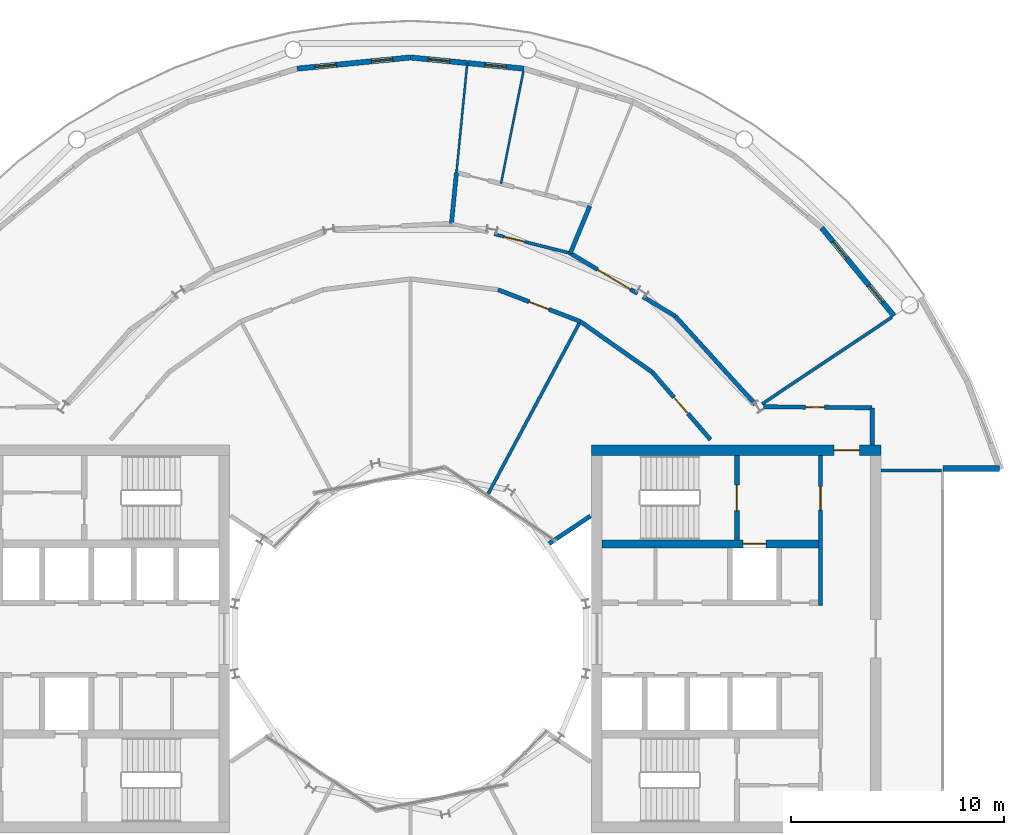
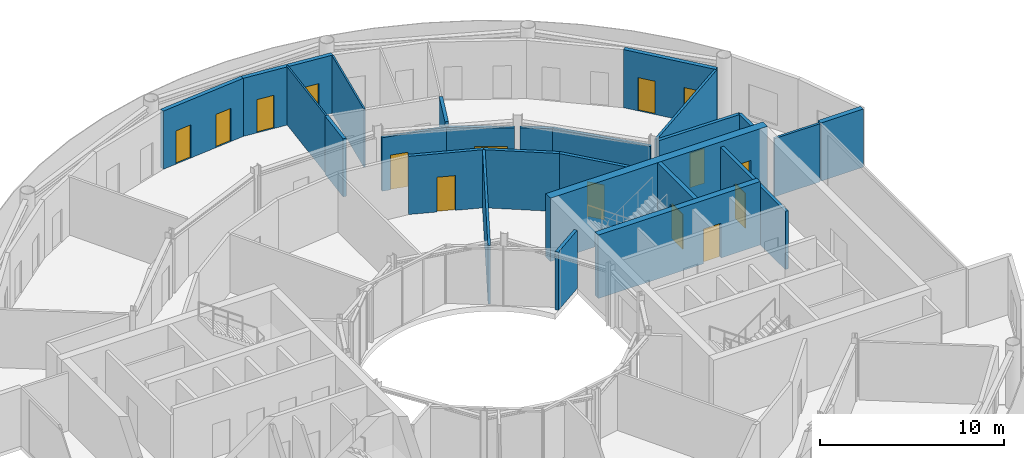
# One storey, part 17 of 21: 25 walls, 15 doors, 15 openings.
"""IFC4 building model written with IfcOpenShell, lengths in metres."""

from ifc_helpers import new_model, si_unit, direction, frame, frame_2d, origin, place, context, subcontext, project, spatial, rectangle, extrude, material, layer, layer_set, type_object, element, fill, save


model = new_model("IFC4")

# Units and contexts
model_context = context("Model", 3, precision=1e-05, world=origin(), true_north=direction((0.0, 1.0)))
body_context = subcontext(model_context, "Body", "Model", "MODEL_VIEW")
ifc_project = project(units=[si_unit("LENGTHUNIT", "METRE"), si_unit("AREAUNIT", "SQUARE_METRE"), si_unit("VOLUMEUNIT", "CUBIC_METRE"), si_unit("PLANEANGLEUNIT", "RADIAN"), si_unit("MASSUNIT", "GRAM", prefix="KILO")], contexts=[model_context])

# Site, building, storey
site_placement = place(None, origin())
site = spatial("IfcSite", under=ifc_project, at=site_placement, CompositionType="ELEMENT")
building_placement = place(site_placement, origin())
building = spatial("IfcBuilding", under=site, at=building_placement, Name="Maasbend Ring Residences", CompositionType="ELEMENT")
storey_placement = place(building_placement, frame((0.0, 0.0, 157.39990234375)))
storey = spatial("IfcBuildingStorey", under=building, at=storey_placement, Name="L45", CompositionType="ELEMENT", Elevation=157.39990234375)

# Wall, opening, door
ifc_material_1 = material(Name="Concrete C60/75", Category="concrete")
ifc_layer_1 = layer(ifc_material_1, 0.25)
ifc_layer_set_1 = layer_set([ifc_layer_1], Name="Concrete C60/75")
wall_type_1 = type_object("IfcWallType", Name="CORE WALL 250 C60/75", PredefinedType="SHEAR", material=ifc_layer_set_1)
wall_1_placement = place(storey_placement, frame((15.324951171875, 4.64990234375, 0.0), z_axis=(0.0, 0.0, 1.0), x_axis=(0.0, 1.0, 0.0)))
wall_1 = element("IfcWall", 1, at=wall_1_placement, inside=storey, type_object=wall_type_1, Name="L45 core E wall STEN", PredefinedType="SHEAR", context=body_context, shape_type="SweptSolid", body=[
    extrude(rectangle(XDim=3.9501953125, YDim=0.25, at=frame_2d((1.97509765625, 0.0))), origin(), (0.0, 0.0, 1.0), 4.2001953125),
])
opening_1_placement = place(wall_1_placement, frame((1.375, 0.0, 0.0)))
opening_1 = element("IfcOpeningElement", 2, at=opening_1_placement, cuts=wall_1, Name="Opening D-E4511", PredefinedType="OPENING", context=body_context, shape_type="SweptSolid", body=[
    extrude(rectangle(XDim=1.199951171875, YDim=2.300048828125, at=frame_2d((0.60009765625, 1.14990234375))), frame((0.0, 0.135009765625, 0.0), z_axis=(0.0, -1.0, 0.0), x_axis=(1.0, 0.0, 0.0)), (0.0, 0.0, 1.0), 0.27001953125),
])
ifc_material_2 = material(Name="Steel, powder coated", Category="steel")
door_type_1 = type_object("IfcDoorType", Name="STAIR DOOR 1200 X 2300 FD60", OperationType="NOTDEFINED", PredefinedType="DOOR", material=ifc_material_2)
door_1_placement = place(opening_1_placement, origin())
door_1 = element("IfcDoor", 3, at=door_1_placement, inside=storey, type_object=door_type_1, Name="Stair door ST-E L45", OperationType="SINGLE_SWING_LEFT", OverallHeight=2.300048828125, OverallWidth=1.199951171875, PredefinedType="DOOR", context=body_context, shape_type="SweptSolid", body=[
    extrude(rectangle(XDim=1.199951171875, YDim=2.300048828125, at=frame_2d((0.60009765625, 1.14990234375))), frame((0.0, 0.02490234375, 0.0), z_axis=(0.0, -1.0, 0.0), x_axis=(1.0, 0.0, 0.0)), (0.0, 0.0, 1.0), 0.050048828125),
])
fill(opening_1, door_1)

ifc_material_3 = material(Name="Concrete C60/75", Category="concrete")
ifc_layer_2 = layer(ifc_material_3, 0.375)
ifc_layer_set_2 = layer_set([ifc_layer_2], Name="Concrete C60/75")
wall_type_2 = type_object("IfcWallType", Name="CORE WALL 375 C60/75", PredefinedType="SHEAR", material=ifc_layer_set_2)
wall_2_placement = place(storey_placement, frame((9.0, 4.46240234375, 0.0), z_axis=(0.0, 0.0, 1.0), x_axis=(1.0, 0.0, 0.0)))
wall_2 = element("IfcWall", 4, at=wall_2_placement, inside=storey, type_object=wall_type_2, Name="L45 core E wall BN", PredefinedType="SHEAR", context=body_context, shape_type="SweptSolid", body=[
    extrude(rectangle(XDim=10.14990234375, YDim=0.375, at=frame_2d((5.074951171875, 0.0))), origin(), (0.0, 0.0, 1.0), 4.2001953125),
])
opening_2_placement = place(wall_2_placement, frame((6.60009765625, 0.0, 0.0)))
opening_2 = element("IfcOpeningElement", 5, at=opening_2_placement, cuts=wall_2, Name="Opening LD-E4501", PredefinedType="OPENING", context=body_context, shape_type="SweptSolid", body=[
    extrude(rectangle(XDim=1.10009765625, YDim=2.300048828125, at=frame_2d((0.550048828125, 1.14990234375))), frame((0.0, 0.197509765625, 0.0), z_axis=(0.0, -1.0, 0.0), x_axis=(1.0, 0.0, 0.0)), (0.0, 0.0, 1.0), 0.39501953125),
])
ifc_material_4 = material(Name="Stainless steel 316", Category="steel")
door_type_2 = type_object("IfcDoorType", Name="LANDING DOOR 1100 X 2300 FD60", OperationType="DOUBLE_DOOR_SLIDING", PredefinedType="DOOR", material=ifc_material_4)
door_2_placement = place(opening_2_placement, origin())
door_2 = element("IfcDoor", 6, at=door_2_placement, inside=storey, type_object=door_type_2, Name="Landing door FF-E L45", OperationType="DOUBLE_DOOR_SLIDING", OverallHeight=2.300048828125, OverallWidth=1.10009765625, PredefinedType="DOOR", context=body_context, shape_type="SweptSolid", body=[
    extrude(rectangle(XDim=1.10009765625, YDim=2.300048828125, at=frame_2d((0.550048828125, 1.14990234375))), frame((0.0, 0.02490234375, 0.0), z_axis=(0.0, -1.0, 0.0), x_axis=(1.0, 0.0, 0.0)), (0.0, 0.0, 1.0), 0.050048828125),
])
fill(opening_2, door_2)

ifc_material_5 = material(Name="Concrete C60/75", Category="concrete")
ifc_layer_3 = layer(ifc_material_5, 0.5)
ifc_layer_set_3 = layer_set([ifc_layer_3], Name="Concrete C60/75")
wall_type_3 = type_object("IfcWallType", Name="CORE WALL 500 C60/75", PredefinedType="SHEAR", material=ifc_layer_set_3)
wall_3_placement = place(storey_placement, frame((22.10009765625, 8.85009765625, 0.0), z_axis=(0.0, 0.0, 1.0), x_axis=(-1.0, 0.0, 0.0)))
wall_3 = element("IfcWall", 7, at=wall_3_placement, inside=storey, type_object=wall_type_3, Name="L45 core E wall PN", PredefinedType="SHEAR", context=body_context, shape_type="SweptSolid", body=[
    extrude(rectangle(XDim=13.60009765625, YDim=0.5, at=frame_2d((6.800048828125, 0.0))), origin(), (0.0, 0.0, 1.0), 4.2001953125),
])
opening_3_placement = place(wall_3_placement, frame((1.02490234375, 0.0, 0.0)))
opening_3 = element("IfcOpeningElement", 8, at=opening_3_placement, cuts=wall_3, Name="Opening D-E4515", PredefinedType="OPENING", context=body_context, shape_type="SweptSolid", body=[
    extrude(rectangle(XDim=1.199951171875, YDim=2.300048828125, at=frame_2d((0.60009765625, 1.14990234375))), frame((0.0, 0.260009765625, 0.0), z_axis=(0.0, -1.0, 0.0), x_axis=(1.0, 0.0, 0.0)), (0.0, 0.0, 1.0), 0.52001953125),
])
ifc_material_6 = material(Name="Steel, powder coated", Category="steel")
door_type_3 = type_object("IfcDoorType", Name="CORRIDOR DOOR 1200 X 2300 FD30S", OperationType="NOTDEFINED", PredefinedType="DOOR", material=ifc_material_6)
door_3_placement = place(opening_3_placement, origin())
door_3 = element("IfcDoor", 9, at=door_3_placement, inside=storey, type_object=door_type_3, Name="Corridor door L45", OperationType="SINGLE_SWING_RIGHT", OverallHeight=2.300048828125, OverallWidth=1.199951171875, PredefinedType="DOOR", context=body_context, shape_type="SweptSolid", body=[
    extrude(rectangle(XDim=1.199951171875, YDim=2.300048828125, at=frame_2d((0.60009765625, 1.14990234375))), frame((0.0, 0.02490234375, 0.0), z_axis=(0.0, -1.0, 0.0), x_axis=(1.0, 0.0, 0.0)), (0.0, 0.0, 1.0), 0.050048828125),
])
fill(opening_3, door_3)

# Walls
ifc_material_7 = material(Name="Concrete C30/37", Category="concrete")
ifc_layer_4 = layer(ifc_material_7, 0.199951171875)
ifc_layer_set_4 = layer_set([ifc_layer_4], Name="Concrete C30/37")
wall_type_4 = type_object("IfcWallType", Name="CORRIDOR WALL 200 CONCRETE", PredefinedType="PARTITIONING", material=ifc_layer_set_4)
wall_4_placement = place(storey_placement, frame((21.675048828125, 9.10009765625, 0.0), z_axis=(0.0, 0.0, 1.0), x_axis=(0.0, 1.0, 0.0)))
element("IfcWall", 10, at=wall_4_placement, inside=storey, type_object=wall_type_4, Name="U-L45-w003", PredefinedType="PARTITIONING", context=body_context, shape_type="SweptSolid", body=[
    extrude(rectangle(XDim=1.75, YDim=0.199951171875, at=frame_2d((0.875, 0.0))), origin(), (0.0, 0.0, 1.0), 3.85009765625),
])
wall_5_placement = place(storey_placement, frame((1.9208984375, 19.506103515625, 0.0), z_axis=(0.0, 0.0, 1.0), x_axis=(0.097982433599, 0.995188144376, 0.0)))
element("IfcWall", 11, at=wall_5_placement, inside=storey, type_object=wall_type_4, Name="U-L45-w039", PredefinedType="PARTITIONING", context=body_context, shape_type="SweptSolid", body=[
    extrude(rectangle(XDim=2.3994140625, YDim=0.199951171875, at=frame_2d((1.19970703125, 0.0))), origin(), (0.0, 0.0, 1.0), 3.85009765625),
])
wall_6_placement = place(storey_placement, frame((7.5009765625, 18.10791015625, 0.0), z_axis=(0.0, 0.0, 1.0), x_axis=(0.382555476978, 0.923932522988, 0.0)))
element("IfcWall", 12, at=wall_6_placement, inside=storey, type_object=wall_type_4, Name="U-L45-w046", PredefinedType="PARTITIONING", context=body_context, shape_type="SweptSolid", body=[
    extrude(rectangle(XDim=2.399658203125, YDim=0.199951171875, at=frame_2d((1.19970703125, 0.0))), origin(), (0.0, 0.0, 1.0), 3.85009765625),
])

# Wall, opening, door
wall_7_placement = place(storey_placement, frame((16.58203125, 10.89892578125, 0.0), z_axis=(0.0, 0.0, 1.0), x_axis=(0.999954045313, -0.009586827528, 0.0)))
wall_7 = element("IfcWall", 13, at=wall_7_placement, inside=storey, type_object=wall_type_4, Name="U-L45-w053", PredefinedType="PARTITIONING", context=body_context, shape_type="SweptSolid", body=[
    extrude(rectangle(XDim=5.09326171875, YDim=0.199951171875, at=frame_2d((2.546630859375, 0.0))), origin(), (0.0, 0.0, 1.0), 3.85009765625),
])
opening_4_placement = place(wall_7_placement, frame((1.964111328125, 0.0, 0.0)))
opening_4 = element("IfcOpeningElement", 14, at=opening_4_placement, cuts=wall_7, Name="Opening D-4526", PredefinedType="OPENING", context=body_context, shape_type="SweptSolid", body=[
    extrude(rectangle(XDim=0.89990234375, YDim=2.300048828125, at=frame_2d((0.449951171875, 1.14990234375))), frame((0.0, 0.10986328125, 0.0), z_axis=(0.0, -1.0, 0.0), x_axis=(1.0, 0.0, 0.0)), (0.0, 0.0, 1.0), 0.219970703125),
])
ifc_material_8 = material(Name="Steel, fire-rated, painted", Category="steel")
door_type_4 = type_object("IfcDoorType", Name="SERVICE DOOR 900 X 2300 FIRE-RATED", OperationType="NOTDEFINED", PredefinedType="DOOR", material=ifc_material_8)
door_4_placement = place(opening_4_placement, origin())
door_4 = element("IfcDoor", 15, at=door_4_placement, inside=storey, type_object=door_type_4, Name="D-4526", OperationType="SINGLE_SWING_LEFT", OverallHeight=2.300048828125, OverallWidth=0.89990234375, PredefinedType="DOOR", context=body_context, shape_type="SweptSolid", body=[
    extrude(rectangle(XDim=0.89990234375, YDim=2.300048828125, at=frame_2d((0.449951171875, 1.14990234375))), frame((0.0, 0.02490234375, 0.0), z_axis=(0.0, -1.0, 0.0), x_axis=(1.0, 0.0, 0.0)), (0.0, 0.0, 1.0), 0.050048828125),
])
fill(opening_4, door_4)

wall_8_placement = place(storey_placement, frame((4.10595703125, 16.39404296875, 0.0), z_axis=(0.0, 0.0, 1.0), x_axis=(0.932943640288, -0.360022449363, 0.0)))
wall_8 = element("IfcWall", 16, at=wall_8_placement, inside=storey, type_object=wall_type_4, Name="U-L45-w059", PredefinedType="PARTITIONING", context=body_context, shape_type="SweptSolid", body=[
    extrude(rectangle(XDim=4.138671875, YDim=0.199951171875, at=frame_2d((2.0693359375, 0.0))), origin(), (0.0, 0.0, 1.0), 3.85009765625),
])
opening_5_placement = place(wall_8_placement, frame((1.569091796875, 0.0, 0.0)))
opening_5 = element("IfcOpeningElement", 17, at=opening_5_placement, cuts=wall_8, Name="Opening D-4513", PredefinedType="OPENING", context=body_context, shape_type="SweptSolid", body=[
    extrude(rectangle(XDim=1.0, YDim=2.300048828125, at=frame_2d((0.5, 1.14990234375))), frame((0.0, 0.10986328125, 0.0), z_axis=(0.0, -1.0, 0.0), x_axis=(1.0, 0.0, 0.0)), (0.0, 0.0, 1.0), 0.219970703125),
])
ifc_material_9 = material(Name="Timber, painted", Category="wood")
door_type_5 = type_object("IfcDoorType", Name="ROOM DOOR 1000 X 2300", OperationType="NOTDEFINED", PredefinedType="DOOR", material=ifc_material_9)
door_5_placement = place(opening_5_placement, origin())
door_5 = element("IfcDoor", 18, at=door_5_placement, inside=storey, type_object=door_type_5, Name="D-4513", OperationType="SINGLE_SWING_LEFT", OverallHeight=2.300048828125, OverallWidth=1.0, PredefinedType="DOOR", context=body_context, shape_type="SweptSolid", body=[
    extrude(rectangle(XDim=1.0, YDim=2.300048828125, at=frame_2d((0.5, 1.14990234375))), frame((0.0, 0.02490234375, 0.0), z_axis=(0.0, -1.0, 0.0), x_axis=(1.0, 0.0, 0.0)), (0.0, 0.0, 1.0), 0.050048828125),
])
fill(opening_5, door_5)

# Wall
wall_9_placement = place(storey_placement, frame((7.967041015625, 14.904052734375, 0.0), z_axis=(0.0, 0.0, 1.0), x_axis=(0.817567680547, -0.575832517079, 0.0)))
element("IfcWall", 19, at=wall_9_placement, inside=storey, type_object=wall_type_4, Name="U-L45-w060", PredefinedType="PARTITIONING", context=body_context, shape_type="SweptSolid", body=[
    extrude(rectangle(XDim=4.13671875, YDim=0.199951171875, at=frame_2d((2.068359375, 0.0))), origin(), (0.0, 0.0, 1.0), 3.85009765625),
])

# Wall, opening, door
wall_10_placement = place(storey_placement, frame((11.34912109375, 12.52197265625, 0.0), z_axis=(0.0, 0.0, 1.0), x_axis=(0.653273870261, -0.757121687996, 0.0)))
wall_10 = element("IfcWall", 20, at=wall_10_placement, inside=storey, type_object=wall_type_4, Name="U-L45-w061", PredefinedType="PARTITIONING", context=body_context, shape_type="SweptSolid", body=[
    extrude(rectangle(XDim=4.189453125, YDim=0.199951171875, at=frame_2d((2.0947265625, 0.0))), origin(), (0.0, 0.0, 1.0), 3.85009765625),
])
opening_6_placement = place(wall_10_placement, frame((1.569091796875, 0.0, 0.0)))
opening_6 = element("IfcOpeningElement", 21, at=opening_6_placement, cuts=wall_10, Name="Opening D-4512", PredefinedType="OPENING", context=body_context, shape_type="SweptSolid", body=[
    extrude(rectangle(XDim=1.0, YDim=2.300048828125, at=frame_2d((0.5, 1.14990234375))), frame((0.0, 0.10986328125, 0.0), z_axis=(0.0, -1.0, 0.0), x_axis=(1.0, 0.0, 0.0)), (0.0, 0.0, 1.0), 0.219970703125),
])
door_6_placement = place(opening_6_placement, origin())
door_6 = element("IfcDoor", 22, at=door_6_placement, inside=storey, type_object=door_type_5, Name="D-4512", OperationType="SINGLE_SWING_LEFT", OverallHeight=2.300048828125, OverallWidth=1.0, PredefinedType="DOOR", context=body_context, shape_type="SweptSolid", body=[
    extrude(rectangle(XDim=1.0, YDim=2.300048828125, at=frame_2d((0.5, 1.14990234375))), frame((0.0, 0.02490234375, 0.0), z_axis=(0.0, -1.0, 0.0), x_axis=(1.0, 0.0, 0.0)), (0.0, 0.0, 1.0), 0.050048828125),
])
fill(opening_6, door_6)

wall_11_placement = place(storey_placement, frame((7.5009765625, 18.10791015625, 0.0), z_axis=(0.0, 0.0, 1.0), x_axis=(0.857750505244, -0.514066212421, 0.0)))
wall_11 = element("IfcWall", 23, at=wall_11_placement, inside=storey, type_object=wall_type_4, Name="U-L45-w066", PredefinedType="PARTITIONING", context=body_context, shape_type="SweptSolid", body=[
    extrude(rectangle(XDim=3.67822265625, YDim=0.199951171875, at=frame_2d((1.839111328125, 0.0))), origin(), (0.0, 0.0, 1.0), 3.5400390625),
])
opening_7_placement = place(wall_11_placement, frame((1.5, 0.0, 0.0)))
opening_7 = element("IfcOpeningElement", 24, at=opening_7_placement, cuts=wall_11, Name="Opening D-4509", PredefinedType="OPENING", context=body_context, shape_type="SweptSolid", body=[
    extrude(rectangle(XDim=1.800048828125, YDim=2.300048828125, at=frame_2d((0.89990234375, 1.14990234375))), frame((0.0, 0.10986328125, 0.0), z_axis=(0.0, -1.0, 0.0), x_axis=(1.0, 0.0, 0.0)), (0.0, 0.0, 1.0), 0.219970703125),
])
ifc_material_10 = material(Name="Timber, painted", Category="wood")
door_type_6 = type_object("IfcDoorType", Name="DOUBLE DOOR 1800 X 2300", OperationType="NOTDEFINED", PredefinedType="DOOR", material=ifc_material_10)
door_7_placement = place(opening_7_placement, origin())
door_7 = element("IfcDoor", 25, at=door_7_placement, inside=storey, type_object=door_type_6, Name="D-4509", OperationType="DOUBLE_DOOR_SINGLE_SWING", OverallHeight=2.300048828125, OverallWidth=1.800048828125, PredefinedType="DOOR", context=body_context, shape_type="SweptSolid", body=[
    extrude(rectangle(XDim=1.800048828125, YDim=2.300048828125, at=frame_2d((0.89990234375, 1.14990234375))), frame((0.0, 0.02490234375, 0.0), z_axis=(0.0, -1.0, 0.0), x_axis=(1.0, 0.0, 0.0)), (0.0, 0.0, 1.0), 0.050048828125),
])
fill(opening_7, door_7)

# Walls
wall_12_placement = place(storey_placement, frame((10.9130859375, 16.06298828125, 0.0), z_axis=(0.0, 0.0, 1.0), x_axis=(0.857614365469, -0.514293301668, 0.0)))
element("IfcWall", 26, at=wall_12_placement, inside=storey, type_object=wall_type_4, Name="U-L45-w067", PredefinedType="PARTITIONING", context=body_context, shape_type="SweptSolid", body=[
    extrude(rectangle(XDim=1.7734375, YDim=0.199951171875, at=frame_2d((0.88671875, 0.0))), origin(), (0.0, 0.0, 1.0), 3.5400390625),
])
wall_13_placement = place(storey_placement, frame((12.43408203125, 15.15087890625, 0.0), z_axis=(0.0, 0.0, 1.0), x_axis=(0.671532887857, -0.740974750262, 0.0)))
element("IfcWall", 27, at=wall_13_placement, inside=storey, type_object=wall_type_4, Name="U-L45-w068", PredefinedType="PARTITIONING", context=body_context, shape_type="SweptSolid", body=[
    extrude(rectangle(XDim=5.6005859375, YDim=0.199951171875, at=frame_2d((2.80029296875, 0.0))), origin(), (0.0, 0.0, 1.0), 3.5400390625),
])

# Wall, openings, doors
ifc_material_11 = material(Name="Aluminium clad insulated panel", Category="aluminium")
ifc_layer_5 = layer(ifc_material_11, 0.25)
ifc_layer_set_5 = layer_set([ifc_layer_5], Name="EW-GL")
wall_type_5 = type_object("IfcWallType", Name="EW-GL", PredefinedType="SOLIDWALL", material=ifc_layer_set_5)
wall_14_placement = place(storey_placement, frame((22.698974609375, 15.1669921875, 0.0), z_axis=(0.0, 0.0, 1.0), x_axis=(-0.634382322723, 0.773019449054, 0.0)))
wall_14 = element("IfcWall", 28, at=wall_14_placement, inside=storey, type_object=wall_type_5, Name="External wall N01", PredefinedType="SOLIDWALL", context=body_context, shape_type="SweptSolid", body=[
    extrude(rectangle(XDim=5.351806640625, YDim=0.25, at=frame_2d((2.67578125, 0.0))), origin(), (0.0, 0.0, 1.0), 3.85009765625),
])
opening_8_placement = place(wall_14_placement, frame((0.841064453125, 0.0, 0.0)))
opening_8 = element("IfcOpeningElement", 29, at=opening_8_placement, cuts=wall_14, Name="Opening D-LG", PredefinedType="OPENING", context=body_context, shape_type="SweptSolid", body=[
    extrude(rectangle(XDim=1.0, YDim=2.199951171875, at=frame_2d((0.5, 1.10009765625))), frame((0.0, 0.135009765625, 0.0), z_axis=(0.0, -1.0, 0.0), x_axis=(1.0, 0.0, 0.0)), (0.0, 0.0, 1.0), 0.27001953125),
])
opening_9_placement = place(wall_14_placement, frame((3.510498046875, 0.0, 0.0)))
opening_9 = element("IfcOpeningElement", 30, at=opening_9_placement, cuts=wall_14, Name="Opening D-LG", PredefinedType="OPENING", context=body_context, shape_type="SweptSolid", body=[
    extrude(rectangle(XDim=1.0, YDim=2.199951171875, at=frame_2d((0.5, 1.10009765625))), frame((0.0, 0.135009765625, 0.0), z_axis=(0.0, -1.0, 0.0), x_axis=(1.0, 0.0, 0.0)), (0.0, 0.0, 1.0), 0.27001953125),
])
ifc_material_12 = material(Name="Aluminium and clear glass", Category="aluminium")
door_type_7 = type_object("IfcDoorType", Name="D-LG", OperationType="SINGLE_SWING_LEFT", PredefinedType="DOOR", material=ifc_material_12)
door_8_placement = place(opening_8_placement, origin())
door_8 = element("IfcDoor", 31, at=door_8_placement, inside=storey, type_object=door_type_7, Name="Loggia door N01", OperationType="SINGLE_SWING_LEFT", OverallHeight=2.199951171875, OverallWidth=1.0, PredefinedType="DOOR", context=body_context, shape_type="SweptSolid", body=[
    extrude(rectangle(XDim=1.0, YDim=2.199951171875, at=frame_2d((0.5, 1.10009765625))), frame((0.0, 0.02490234375, 0.0), z_axis=(0.0, -1.0, 0.0), x_axis=(1.0, 0.0, 0.0)), (0.0, 0.0, 1.0), 0.050048828125),
])
fill(opening_8, door_8)
door_9_placement = place(opening_9_placement, origin())
door_9 = element("IfcDoor", 32, at=door_9_placement, inside=storey, type_object=door_type_7, Name="Loggia door N02", OperationType="SINGLE_SWING_LEFT", OverallHeight=2.199951171875, OverallWidth=1.0, PredefinedType="DOOR", context=body_context, shape_type="SweptSolid", body=[
    extrude(rectangle(XDim=1.0, YDim=2.199951171875, at=frame_2d((0.5, 1.10009765625))), frame((0.0, 0.02490234375, 0.0), z_axis=(0.0, -1.0, 0.0), x_axis=(1.0, 0.0, 0.0)), (0.0, 0.0, 1.0), 0.050048828125),
])
fill(opening_9, door_9)

wall_15_placement = place(storey_placement, frame((5.325927734375, 26.77490234375, 0.0), z_axis=(0.0, 0.0, 1.0), x_axis=(-0.995173996315, 0.098126026407, 0.0)))
wall_15 = element("IfcWall", 33, at=wall_15_placement, inside=storey, type_object=wall_type_5, Name="External wall N05", PredefinedType="SOLIDWALL", context=body_context, shape_type="SweptSolid", body=[
    extrude(rectangle(XDim=5.351806640625, YDim=0.25, at=frame_2d((2.67578125, 0.0))), origin(), (0.0, 0.0, 1.0), 3.85009765625),
])
opening_10_placement = place(wall_15_placement, frame((0.841064453125, 0.0, 0.0)))
opening_10 = element("IfcOpeningElement", 34, at=opening_10_placement, cuts=wall_15, Name="Opening D-LG", PredefinedType="OPENING", context=body_context, shape_type="SweptSolid", body=[
    extrude(rectangle(XDim=1.0, YDim=2.199951171875, at=frame_2d((0.5, 1.10009765625))), frame((0.0, 0.135009765625, 0.0), z_axis=(0.0, -1.0, 0.0), x_axis=(1.0, 0.0, 0.0)), (0.0, 0.0, 1.0), 0.27001953125),
])
opening_11_placement = place(wall_15_placement, frame((3.510498046875, 0.0, 0.0)))
opening_11 = element("IfcOpeningElement", 35, at=opening_11_placement, cuts=wall_15, Name="Opening D-LG", PredefinedType="OPENING", context=body_context, shape_type="SweptSolid", body=[
    extrude(rectangle(XDim=1.0, YDim=2.199951171875, at=frame_2d((0.5, 1.10009765625))), frame((0.0, 0.135009765625, 0.0), z_axis=(0.0, -1.0, 0.0), x_axis=(1.0, 0.0, 0.0)), (0.0, 0.0, 1.0), 0.27001953125),
])
door_10_placement = place(opening_10_placement, origin())
door_10 = element("IfcDoor", 36, at=door_10_placement, inside=storey, type_object=door_type_7, Name="Loggia door N09", OperationType="SINGLE_SWING_LEFT", OverallHeight=2.199951171875, OverallWidth=1.0, PredefinedType="DOOR", context=body_context, shape_type="SweptSolid", body=[
    extrude(rectangle(XDim=1.0, YDim=2.199951171875, at=frame_2d((0.5, 1.10009765625))), frame((0.0, 0.02490234375, 0.0), z_axis=(0.0, -1.0, 0.0), x_axis=(1.0, 0.0, 0.0)), (0.0, 0.0, 1.0), 0.050048828125),
])
fill(opening_10, door_10)
door_11_placement = place(opening_11_placement, origin())
door_11 = element("IfcDoor", 37, at=door_11_placement, inside=storey, type_object=door_type_7, Name="Loggia door N10", OperationType="SINGLE_SWING_LEFT", OverallHeight=2.199951171875, OverallWidth=1.0, PredefinedType="DOOR", context=body_context, shape_type="SweptSolid", body=[
    extrude(rectangle(XDim=1.0, YDim=2.199951171875, at=frame_2d((0.5, 1.10009765625))), frame((0.0, 0.02490234375, 0.0), z_axis=(0.0, -1.0, 0.0), x_axis=(1.0, 0.0, 0.0)), (0.0, 0.0, 1.0), 0.050048828125),
])
fill(opening_11, door_11)

wall_16_placement = place(storey_placement, frame((0.0, 27.300048828125, 0.0), z_axis=(0.0, 0.0, 1.0), x_axis=(-0.995173996315, -0.098126026407, 0.0)))
wall_16 = element("IfcWall", 38, at=wall_16_placement, inside=storey, type_object=wall_type_5, Name="External wall N06", PredefinedType="SOLIDWALL", context=body_context, shape_type="SweptSolid", body=[
    extrude(rectangle(XDim=5.351806640625, YDim=0.25, at=frame_2d((2.67578125, 0.0))), origin(), (0.0, 0.0, 1.0), 3.85009765625),
])
opening_12_placement = place(wall_16_placement, frame((0.841064453125, 0.0, 0.0)))
opening_12 = element("IfcOpeningElement", 39, at=opening_12_placement, cuts=wall_16, Name="Opening D-LG", PredefinedType="OPENING", context=body_context, shape_type="SweptSolid", body=[
    extrude(rectangle(XDim=1.0, YDim=2.199951171875, at=frame_2d((0.5, 1.10009765625))), frame((0.0, 0.135009765625, 0.0), z_axis=(0.0, -1.0, 0.0), x_axis=(1.0, 0.0, 0.0)), (0.0, 0.0, 1.0), 0.27001953125),
])
opening_13_placement = place(wall_16_placement, frame((3.510498046875, 0.0, 0.0)))
opening_13 = element("IfcOpeningElement", 40, at=opening_13_placement, cuts=wall_16, Name="Opening D-LG", PredefinedType="OPENING", context=body_context, shape_type="SweptSolid", body=[
    extrude(rectangle(XDim=1.0, YDim=2.199951171875, at=frame_2d((0.5, 1.10009765625))), frame((0.0, 0.135009765625, 0.0), z_axis=(0.0, -1.0, 0.0), x_axis=(1.0, 0.0, 0.0)), (0.0, 0.0, 1.0), 0.27001953125),
])
door_12_placement = place(opening_12_placement, origin())
door_12 = element("IfcDoor", 41, at=door_12_placement, inside=storey, type_object=door_type_7, Name="Loggia door N11", OperationType="SINGLE_SWING_LEFT", OverallHeight=2.199951171875, OverallWidth=1.0, PredefinedType="DOOR", context=body_context, shape_type="SweptSolid", body=[
    extrude(rectangle(XDim=1.0, YDim=2.199951171875, at=frame_2d((0.5, 1.10009765625))), frame((0.0, 0.02490234375, 0.0), z_axis=(0.0, -1.0, 0.0), x_axis=(1.0, 0.0, 0.0)), (0.0, 0.0, 1.0), 0.050048828125),
])
fill(opening_12, door_12)
door_13_placement = place(opening_13_placement, origin())
door_13 = element("IfcDoor", 42, at=door_13_placement, inside=storey, type_object=door_type_7, Name="Loggia door N12", OperationType="SINGLE_SWING_LEFT", OverallHeight=2.199951171875, OverallWidth=1.0, PredefinedType="DOOR", context=body_context, shape_type="SweptSolid", body=[
    extrude(rectangle(XDim=1.0, YDim=2.199951171875, at=frame_2d((0.5, 1.10009765625))), frame((0.0, 0.02490234375, 0.0), z_axis=(0.0, -1.0, 0.0), x_axis=(1.0, 0.0, 0.0)), (0.0, 0.0, 1.0), 0.050048828125),
])
fill(opening_13, door_13)

# Walls
ifc_material_13 = material(Name="Aluminium clad insulated panel", Category="aluminium")
ifc_layer_6 = layer(ifc_material_13, 0.300048828125)
ifc_layer_set_6 = layer_set([ifc_layer_6], Name="EW-RET")
wall_type_6 = type_object("IfcWallType", Name="EW-RET", PredefinedType="SOLIDWALL", material=ifc_layer_set_6)
wall_17_placement = place(storey_placement, frame((25.0, 8.0, 0.0), z_axis=(0.0, 0.0, 1.0), x_axis=(1.0, 0.0, 0.0)))
element("IfcWall", 43, at=wall_17_placement, inside=storey, type_object=wall_type_6, Name="Notch return wall east north", PredefinedType="SOLIDWALL", context=body_context, shape_type="SweptSolid", body=[
    extrude(rectangle(XDim=2.6669921875, YDim=0.300048828125, at=frame_2d((1.33349609375, 0.0))), origin(), (0.0, 0.0, 1.0), 3.85009765625),
])
ifc_material_14 = material(Name="Gypsum board on steel studs", Category="steel")
ifc_layer_7 = layer(ifc_material_14, 0.10009765625)
ifc_layer_set_7 = layer_set([ifc_layer_7], Name="PARTITION 100 GYPSUM")
wall_type_7 = type_object("IfcWallType", Name="PARTITION 100 GYPSUM", PredefinedType="PARTITIONING", material=ifc_layer_set_7)
wall_18_placement = place(storey_placement, frame((2.156005859375, 21.89404296875, 0.0), z_axis=(0.0, 0.0, 1.0), x_axis=(0.097990148768, 0.995187384739, 0.0)))
element("IfcWall", 44, at=wall_18_placement, inside=storey, type_object=wall_type_7, Name="U-L45-w040", PredefinedType="PARTITIONING", context=body_context, shape_type="SweptSolid", body=[
    extrude(rectangle(XDim=5.1748046875, YDim=0.10009765625, at=frame_2d((2.58740234375, 0.0))), origin(), (0.0, 0.0, 1.0), 3.85009765625),
])
wall_19_placement = place(storey_placement, frame((4.24609375, 21.37109375, 0.0), z_axis=(0.0, 0.0, 1.0), x_axis=(0.195122379873, 0.980778903154, 0.0)))
element("IfcWall", 45, at=wall_19_placement, inside=storey, type_object=wall_type_7, Name="U-L45-w043", PredefinedType="PARTITIONING", context=body_context, shape_type="SweptSolid", body=[
    extrude(rectangle(XDim=5.386474609375, YDim=0.10009765625, at=frame_2d((2.693359375, 0.0))), origin(), (0.0, 0.0, 1.0), 3.85009765625),
])
ifc_material_15 = material(Name="Gypsum board on steel studs", Category="steel")
ifc_layer_8 = layer(ifc_material_15, 0.14990234375)
ifc_layer_set_8 = layer_set([ifc_layer_8], Name="PARTITION 150 EI 60")
wall_type_8 = type_object("IfcWallType", Name="PARTITION 150 EI 60", PredefinedType="PARTITIONING", material=ifc_layer_set_8)
wall_20_placement = place(storey_placement, frame((22.10009765625, 7.89990234375, 0.0), z_axis=(0.0, 0.0, 1.0), x_axis=(1.0, 0.0, 0.0)))
element("IfcWall", 46, at=wall_20_placement, inside=storey, type_object=wall_type_8, Name="L45 core E wall CITN", PredefinedType="PARTITIONING", context=body_context, shape_type="SweptSolid", body=[
    extrude(rectangle(XDim=2.83984375, YDim=0.14990234375, at=frame_2d((1.419921875, 0.0))), origin(), (0.0, 0.0, 1.0), 3.85009765625),
])
ifc_material_16 = material(Name="Gypsum board on steel studs", Category="steel")
ifc_layer_9 = layer(ifc_material_16, 0.14990234375)
ifc_layer_set_9 = layer_set([ifc_layer_9], Name="PARTITION 150 GYPSUM")
wall_type_9 = type_object("IfcWallType", Name="PARTITION 150 GYPSUM", PredefinedType="PARTITIONING", material=ifc_layer_set_9)
wall_21_placement = place(storey_placement, frame((3.64111328125, 6.806884765625, 0.0), z_axis=(0.0, 0.0, 1.0), x_axis=(0.471428625665, 0.881904218667, 0.0)))
element("IfcWall", 47, at=wall_21_placement, inside=storey, type_object=wall_type_9, Name="U-L45-w042", PredefinedType="PARTITIONING", context=body_context, shape_type="SweptSolid", body=[
    extrude(rectangle(XDim=9.180419921875, YDim=0.14990234375, at=frame_2d((4.59033203125, 0.0))), origin(), (0.0, 0.0, 1.0), 3.85009765625),
])
wall_22_placement = place(storey_placement, frame((16.5048828125, 11.028076171875, 0.0), z_axis=(0.0, 0.0, 1.0), x_axis=(0.831434446288, 0.555622859075, 0.0)))
element("IfcWall", 48, at=wall_22_placement, inside=storey, type_object=wall_type_9, Name="U-L45-w049", PredefinedType="PARTITIONING", context=body_context, shape_type="SweptSolid", body=[
    extrude(rectangle(XDim=7.32470703125, YDim=0.14990234375, at=frame_2d((3.662353515625, 0.0))), origin(), (0.0, 0.0, 1.0), 3.85009765625),
])

# Wall, opening, door
wall_23_placement = place(storey_placement, frame((3.93310546875, 19.001953125, 0.0), z_axis=(0.0, 0.0, 1.0), x_axis=(0.970009604092, -0.243066591637, 0.0)))
wall_23 = element("IfcWall", 49, at=wall_23_placement, inside=storey, type_object=wall_type_9, Name="U-L45-w065", PredefinedType="PARTITIONING", context=body_context, shape_type="SweptSolid", body=[
    extrude(rectangle(XDim=3.67822265625, YDim=0.14990234375, at=frame_2d((1.839111328125, 0.0))), origin(), (0.0, 0.0, 1.0), 3.5400390625),
])
opening_14_placement = place(wall_23_placement, frame((0.47607421875, 0.0, 0.0)))
opening_14 = element("IfcOpeningElement", 50, at=opening_14_placement, cuts=wall_23, Name="Opening D-4501", PredefinedType="OPENING", context=body_context, shape_type="SweptSolid", body=[
    extrude(rectangle(XDim=1.0, YDim=2.300048828125, at=frame_2d((0.5, 1.14990234375))), frame((0.0, 0.0849609375, 0.0), z_axis=(0.0, -1.0, 0.0), x_axis=(1.0, 0.0, 0.0)), (0.0, 0.0, 1.0), 0.169921875),
])
door_14_placement = place(opening_14_placement, origin())
door_14 = element("IfcDoor", 51, at=door_14_placement, inside=storey, type_object=door_type_5, Name="D-4501", OperationType="SINGLE_SWING_LEFT", OverallHeight=2.300048828125, OverallWidth=1.0, PredefinedType="DOOR", context=body_context, shape_type="SweptSolid", body=[
    extrude(rectangle(XDim=1.0, YDim=2.300048828125, at=frame_2d((0.5, 1.14990234375))), frame((0.0, 0.02490234375, 0.0), z_axis=(0.0, -1.0, 0.0), x_axis=(1.0, 0.0, 0.0)), (0.0, 0.0, 1.0), 0.050048828125),
])
fill(opening_14, door_14)

# Wall
ifc_material_17 = material(Name="Concrete C30/37", Category="concrete")
ifc_layer_10 = layer(ifc_material_17, 0.199951171875)
ifc_layer_set_10 = layer_set([ifc_layer_10], Name="Concrete C30/37")
wall_type_10 = type_object("IfcWallType", Name="PARTY WALL 200 CONCRETE", PredefinedType="PARTITIONING", material=ifc_layer_set_10)
wall_24_placement = place(storey_placement, frame((6.512939453125, 4.471923828125, 0.0), z_axis=(0.0, 0.0, 1.0), x_axis=(0.83133816625, 0.555766905579, 0.0)))
element("IfcWall", 52, at=wall_24_placement, inside=storey, type_object=wall_type_10, Name="U-L45-w051", PredefinedType="PARTITIONING", context=body_context, shape_type="SweptSolid", body=[
    extrude(rectangle(XDim=2.322998046875, YDim=0.199951171875, at=frame_2d((1.16162109375, 0.0))), origin(), (0.0, 0.0, 1.0), 3.85009765625),
])

# Wall, opening, door
ifc_material_18 = material(Name="Concrete C30/37", Category="concrete")
ifc_layer_11 = layer(ifc_material_18, 0.199951171875)
ifc_layer_set_11 = layer_set([ifc_layer_11], Name="Concrete C30/37")
wall_type_11 = type_object("IfcWallType", Name="SHAFT WALL 200 EI 120", PredefinedType="SOLIDWALL", material=ifc_layer_set_11)
wall_25_placement = place(storey_placement, frame((19.25, 1.574951171875, 0.0), z_axis=(0.0, 0.0, 1.0), x_axis=(0.0, 1.0, 0.0)))
wall_25 = element("IfcWall", 53, at=wall_25_placement, inside=storey, type_object=wall_type_11, Name="L45 core E wall ENDN", PredefinedType="SOLIDWALL", context=body_context, shape_type="SweptSolid", body=[
    extrude(rectangle(XDim=7.025146484375, YDim=0.199951171875, at=frame_2d((3.5126953125, 0.0))), origin(), (0.0, 0.0, 1.0), 3.85009765625),
])
opening_15_placement = place(wall_25_placement, frame((4.47509765625, 0.0, 0.0)))
opening_15 = element("IfcOpeningElement", 54, at=opening_15_placement, cuts=wall_25, Name="Opening D-E4513", PredefinedType="OPENING", context=body_context, shape_type="SweptSolid", body=[
    extrude(rectangle(XDim=1.10009765625, YDim=2.300048828125, at=frame_2d((0.550048828125, 1.14990234375))), frame((0.0, 0.10986328125, 0.0), z_axis=(0.0, -1.0, 0.0), x_axis=(1.0, 0.0, 0.0)), (0.0, 0.0, 1.0), 0.219970703125),
])
ifc_material_19 = material(Name="Steel, powder coated", Category="steel")
door_type_8 = type_object("IfcDoorType", Name="LOBBY DOOR 1100 X 2300 FD60", OperationType="NOTDEFINED", PredefinedType="DOOR", material=ifc_material_19)
door_15_placement = place(opening_15_placement, origin())
door_15 = element("IfcDoor", 55, at=door_15_placement, inside=storey, type_object=door_type_8, Name="Lobby door L45", OperationType="SINGLE_SWING_LEFT", OverallHeight=2.300048828125, OverallWidth=1.10009765625, PredefinedType="DOOR", context=body_context, shape_type="SweptSolid", body=[
    extrude(rectangle(XDim=1.10009765625, YDim=2.300048828125, at=frame_2d((0.550048828125, 1.14990234375))), frame((0.0, 0.02490234375, 0.0), z_axis=(0.0, -1.0, 0.0), x_axis=(1.0, 0.0, 0.0)), (0.0, 0.0, 1.0), 0.050048828125),
])
fill(opening_15, door_15)

save(model, "model.ifc")
